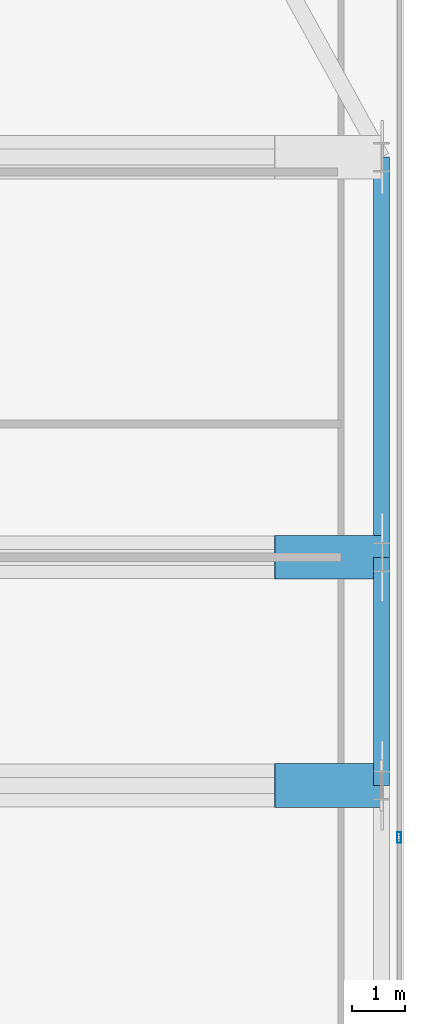
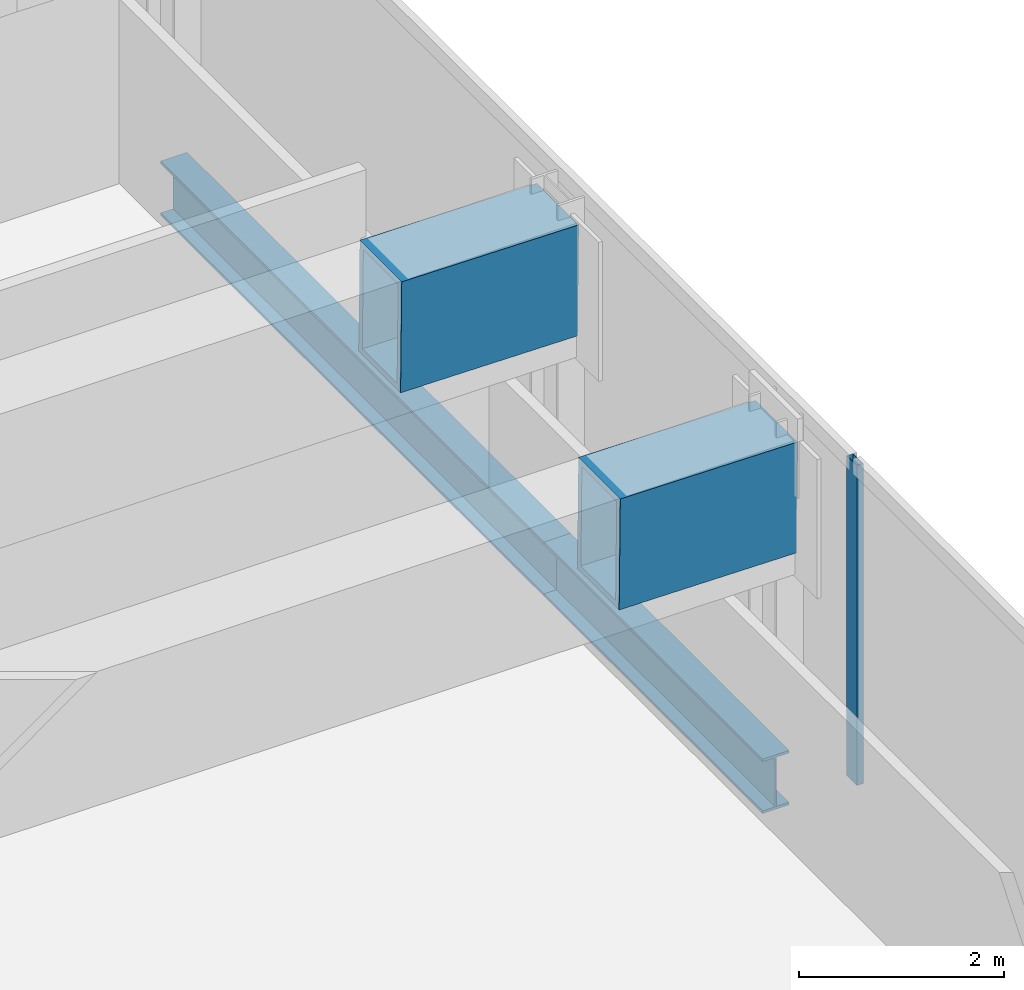
# One storey, part 20 of 32: 4 beams, 1 member, 1 element without a shape of its own.
"""IFC4 building model written with IfcOpenShell, lengths in metres."""

from ifc_helpers import new_model, si_unit, direction, frame, origin, origin_2d, place, context, subcontext, project, spatial, hollow_rectangle, i_section, extrude, material, material_profile, profile_set, type_object, element, aggregate, save


model = new_model("IFC4")

# Units and contexts
model_context = context("Model", 3, precision=1e-05, world=origin(), true_north=direction((0.0, 1.0)))
body_context = subcontext(model_context, "Body", "Model", "MODEL_VIEW")
ifc_project = project(units=[si_unit("LENGTHUNIT", "METRE"), si_unit("AREAUNIT", "SQUARE_METRE"), si_unit("VOLUMEUNIT", "CUBIC_METRE"), si_unit("PLANEANGLEUNIT", "RADIAN"), si_unit("MASSUNIT", "GRAM", prefix="KILO")], contexts=[model_context])

# Site, building, storey
site_placement = place(None, origin())
site = spatial("IfcSite", under=ifc_project, at=site_placement, CompositionType="ELEMENT")
building_placement = place(site_placement, origin())
building = spatial("IfcBuilding", under=site, at=building_placement, Name="Khoronbel Lancet Exchange", CompositionType="ELEMENT")
storey_placement = place(building_placement, frame((0.0, 0.0, 77.800048828125)))
storey = spatial("IfcBuildingStorey", under=building, at=storey_placement, Name="L18", CompositionType="ELEMENT", Elevation=77.800048828125)

# Beams
ifc_material_1 = material(Name="Steel S355", Category="steel")
ifc_material_profile_1 = material_profile(ifc_material_1, i_section(OverallWidth=0.300048828125, OverallDepth=0.64990234375, WebThickness=0.01611328125, FlangeThickness=0.031005859375, at=origin_2d()), Name="HEB 650")
ifc_profile_set_1 = profile_set([ifc_material_profile_1], Name="Steel S355")
beam_type_1 = type_object("IfcBeamType", Name="BM-BSP1", PredefinedType="SPANDREL", material=ifc_profile_set_1)
beam_1_placement = place(storey_placement, frame((71.6298828125, 31.425048828125, -0.505126953125), z_axis=(0.0, 1.0, 0.0), x_axis=(-1.0, 0.0, 0.0)))
element("IfcBeam", 1, at=beam_1_placement, inside=storey, type_object=beam_type_1, Name="Level L18 perimeter spandrel beam SP13", PredefinedType="SPANDREL", context=body_context, shape_type="SweptSolid", body=[
    extrude(i_section(OverallWidth=0.300048828125, OverallDepth=0.64990234375, WebThickness=0.01611328125, FlangeThickness=0.031005859375, at=origin_2d()), origin(), (0.0, 0.0, 1.0), 4.27490234375),
])
beam_2_placement = place(storey_placement, frame((71.6298828125, 35.699951171875, -0.505126953125), z_axis=(0.0, 1.0, 0.0), x_axis=(-1.0, 0.0, 0.0)))
element("IfcBeam", 2, at=beam_2_placement, inside=storey, type_object=beam_type_1, Name="Level L18 perimeter spandrel beam SP14", PredefinedType="SPANDREL", context=body_context, shape_type="SweptSolid", body=[
    extrude(i_section(OverallWidth=0.300048828125, OverallDepth=0.64990234375, WebThickness=0.01611328125, FlangeThickness=0.031005859375, at=origin_2d()), origin(), (0.0, 0.0, 1.0), 7.5),
])
ifc_material_2 = material(Name="Steel S460", Category="steel")
ifc_material_profile_2 = material_profile(ifc_material_2, hollow_rectangle(XDim=0.820068359375, YDim=1.320068359375, WallThickness=0.070068359375, at=origin_2d()), Name="BOX 820x1320x70")
ifc_profile_set_2 = profile_set([ifc_material_profile_2], Name="Steel S460")
beam_type_2 = type_object("IfcBeamType", Name="BM-TG4", PredefinedType="USERDEFINED", material=ifc_profile_set_2)
for number, where, z_axis, x_axis, name in (
    (3, (71.6298828125, 31.425048828125, 3.139892578125), (-0.99994990606, 0.0, 0.010009264196), (0.0, -1.0, 0.0), "Setback transfer knee-brace girder L18-EC-M"),
    (4, (71.6298828125, 35.699951171875, 3.139892578125), (-0.99994990606, 0.0, 0.010009264196), (0.0, -1.0, 0.0), "Setback transfer knee-brace girder L18-EC-3"),
):
    element("IfcBeam", number, at=place(storey_placement, frame(where, z_axis=z_axis, x_axis=x_axis)), inside=storey, type_object=beam_type_2, Name=name, ObjectType="TRANSFER GIRDER", PredefinedType="USERDEFINED", context=body_context, shape_type="SweptSolid", body=[
        extrude(hollow_rectangle(XDim=0.820068359375, YDim=1.320068359375, WallThickness=0.070068359375, at=origin_2d()), origin(), (0.0, 0.0, 1.0), 2.0),
    ])

# Curtain wall, member
ifc_material_3 = material(Name="Low-E Solar Control Insulating Glass", Category="glass")
curtain_wall_type = type_object("IfcCurtainWallType", Name="CW-4", PredefinedType="NOTDEFINED", material=ifc_material_3)
curtain_wall_placement = place(storey_placement, origin())
curtain_wall = element("IfcCurtainWall", 5, at=curtain_wall_placement, inside=storey, type_object=curtain_wall_type, Name="Unitised curtain wall CW-L18-E09", PredefinedType="NOTDEFINED")
ifc_material_4 = material(Name="Bronze-Anodised Aluminium 6063-T6", Category="aluminium")
ifc_material_profile_3 = material_profile(ifc_material_4, hollow_rectangle(XDim=0.074951171875, YDim=0.199951171875, WallThickness=0.0048828125, at=origin_2d()), Name="ALU MULLION 75x200")
ifc_profile_set_3 = profile_set([ifc_material_profile_3], Name="Bronze-Anodised Aluminium 6063-T6")
member_type = type_object("IfcMemberType", Name="MEM-CWM2", PredefinedType="MULLION", material=ifc_profile_set_3)
member_placement = place(storey_placement, frame((71.9599609375, 30.449951171875, 0.0), z_axis=(0.0, 0.0, 1.0), x_axis=(1.0, 0.0, 0.0)))
member = element("IfcMember", 6, at=member_placement, type_object=member_type, Name="CW4 mullion 2", PredefinedType="MULLION", context=body_context, shape_type="SweptSolid", body=[
    extrude(hollow_rectangle(XDim=0.074951171875, YDim=0.199951171875, WallThickness=0.0048828125, at=origin_2d()), origin(), (0.0, 0.0, 1.0), 3.820068359375),
])
aggregate(curtain_wall, [member])

save(model, "model.ifc")
